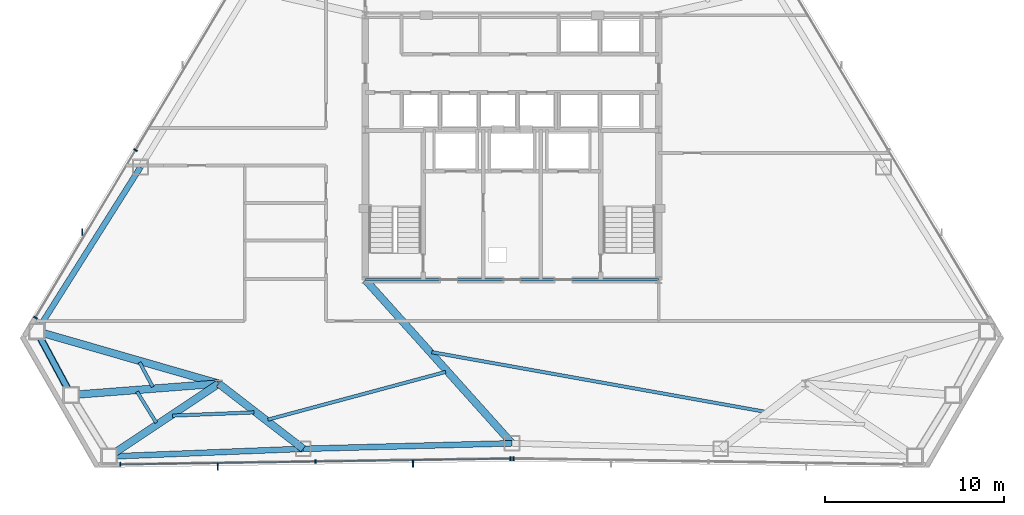
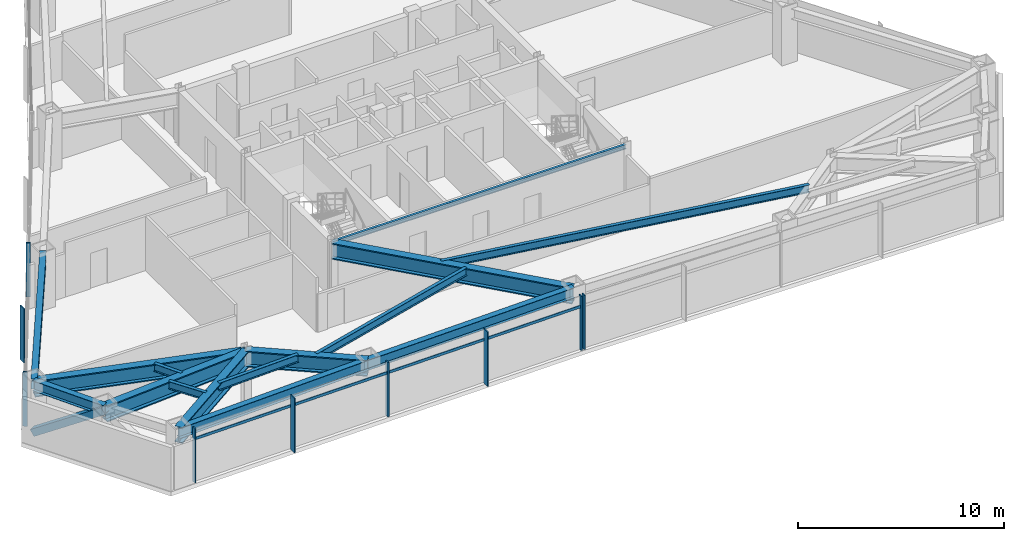
# One storey, part 4 of 11: 15 beams, 11 members, 3 elements without a shape of their own.
"""IFC4 building model written with IfcOpenShell, lengths in metres."""

from ifc_helpers import new_model, si_unit, direction, frame, origin, origin_2d, place, context, subcontext, project, spatial, rectangle, hollow_rectangle, i_section, extrude, source, transform, mapped, material, layer, layer_set, material_profile, profile_set, type_object, type_shapes, element, aggregate, save


model = new_model("IFC4")

# Units and contexts
model_context = context("Model", 3, precision=1e-05, world=origin(), true_north=direction((0.0, 1.0)))
body_context = subcontext(model_context, "Body", "Model", "MODEL_VIEW")
ifc_project = project(units=[si_unit("LENGTHUNIT", "METRE"), si_unit("AREAUNIT", "SQUARE_METRE"), si_unit("VOLUMEUNIT", "CUBIC_METRE"), si_unit("PLANEANGLEUNIT", "RADIAN"), si_unit("MASSUNIT", "GRAM", prefix="KILO")], contexts=[model_context])

# Site, building, storey
site_placement = place(None, origin())
site = spatial("IfcSite", under=ifc_project, at=site_placement, CompositionType="ELEMENT")
building_placement = place(site_placement, origin())
building = spatial("IfcBuilding", under=site, at=building_placement, Name="Varakhsha Concourse Tower", CompositionType="ELEMENT")
storey_placement = place(building_placement, frame((0.0, 0.0, 140.14990234375)))
storey = spatial("IfcBuildingStorey", under=building, at=storey_placement, Name="L40", CompositionType="ELEMENT", Elevation=140.14990234375)

# Beams
ifc_material_1 = material(Name="Structural Steel ASTM A992 Grade 50", Category="steel")
ifc_material_profile_1 = material_profile(ifc_material_1, i_section(OverallWidth=0.19091796875, OverallDepth=0.45703125, WebThickness=0.009033203125, FlangeThickness=0.013916015625, at=origin_2d()), Name="W18X50")
ifc_profile_set_1 = profile_set([ifc_material_profile_1], Name="Structural Steel ASTM A992 Grade 50")
beam_type_1 = type_object("IfcBeamType", Name="BM-JST-W18X50", PredefinedType="JOIST", material=ifc_profile_set_1)
beam_1_placement = place(storey_placement, frame((19.176513671875, 11.791015625, 2.981689453125), z_axis=(0.473689034339, -0.880692170254, 0.0), x_axis=(0.880692170254, 0.473689034339, 0.0)))
element("IfcBeam", 1, at=beam_1_placement, inside=storey, type_object=beam_type_1, Name="BM-TJST-L40-07", PredefinedType="JOIST", context=body_context, shape_type="SweptSolid", body=[
    extrude(i_section(OverallWidth=0.19091796875, OverallDepth=0.45703125, WebThickness=0.009033203125, FlangeThickness=0.013916015625, at=origin_2d()), origin(), (0.0, 0.0, 1.0), 1.5595703125),
])
beam_2_placement = place(storey_placement, frame((19.03466796875, 10.15087890625, 2.981689453125), z_axis=(0.525861356759, -0.850570298957, 0.0), x_axis=(0.850570298957, 0.525861356759, 0.0)))
element("IfcBeam", 2, at=beam_2_placement, inside=storey, type_object=beam_type_1, Name="BM-TJST-L40-08", PredefinedType="JOIST", context=body_context, shape_type="SweptSolid", body=[
    extrude(i_section(OverallWidth=0.19091796875, OverallDepth=0.45703125, WebThickness=0.009033203125, FlangeThickness=0.013916015625, at=origin_2d()), origin(), (0.0, 0.0, 1.0), 2.045166015625),
])
beam_3_placement = place(storey_placement, frame((21.01318359375, 8.811279296875, 2.981689453125), z_axis=(0.999212380669, 0.03968146064, 0.0), x_axis=(-0.03968146064, 0.999212380669, 0.0)))
element("IfcBeam", 3, at=beam_3_placement, inside=storey, type_object=beam_type_1, Name="BM-TJST-L40-09", PredefinedType="JOIST", context=body_context, shape_type="SweptSolid", body=[
    extrude(i_section(OverallWidth=0.19091796875, OverallDepth=0.45703125, WebThickness=0.009033203125, FlangeThickness=0.013916015625, at=origin_2d()), origin(), (0.0, 0.0, 1.0), 4.55908203125),
])
beam_4_placement = place(storey_placement, frame((26.351806640625, 8.587646484375, 2.981689453125), z_axis=(0.96579428254, 0.259309474976, 0.0), x_axis=(-0.259309474976, 0.96579428254, 0.0)))
element("IfcBeam", 4, at=beam_4_placement, inside=storey, type_object=beam_type_1, Name="BM-TJST-L40-10", PredefinedType="JOIST", context=body_context, shape_type="SweptSolid", body=[
    extrude(i_section(OverallWidth=0.19091796875, OverallDepth=0.45703125, WebThickness=0.009033203125, FlangeThickness=0.013916015625, at=origin_2d()), origin(), (0.0, 0.0, 1.0), 10.285888671875),
])
beam_5_placement = place(storey_placement, frame((35.516357421875, 12.360595703125, 2.981689453125), z_axis=(0.984372712142, -0.176097596777, 0.0), x_axis=(0.176097596777, 0.984372712142, 0.0)))
element("IfcBeam", 5, at=beam_5_placement, inside=storey, type_object=beam_type_1, Name="BM-TJST-L40-11", PredefinedType="JOIST", context=body_context, shape_type="SweptSolid", body=[
    extrude(i_section(OverallWidth=0.19091796875, OverallDepth=0.45703125, WebThickness=0.009033203125, FlangeThickness=0.013916015625, at=origin_2d()), origin(), (0.0, 0.0, 1.0), 18.99365234375),
])
ifc_material_profile_2 = material_profile(ifc_material_1, i_section(OverallWidth=0.14697265625, OverallDepth=0.261962890625, WebThickness=0.007080078125, FlangeThickness=0.010986328125, at=origin_2d()), Name="W10X26")
ifc_profile_set_2 = profile_set([ifc_material_profile_2], Name="Structural Steel ASTM A992 Grade 50")
beam_type_2 = type_object("IfcBeamType", Name="BM-LNTL-W10X26", PredefinedType="LINTEL", material=ifc_profile_set_2)
beam_6_placement = place(storey_placement, frame((31.800048828125, 16.39990234375, 3.0791015625), z_axis=(1.0, 0.0, 0.0), x_axis=(0.0, 1.0, 0.0)))
element("IfcBeam", 6, at=beam_6_placement, inside=storey, type_object=beam_type_2, Name="BM-TCORE-L40-CS", PredefinedType="LINTEL", context=body_context, shape_type="SweptSolid", body=[
    extrude(i_section(OverallWidth=0.14697265625, OverallDepth=0.261962890625, WebThickness=0.007080078125, FlangeThickness=0.010986328125, at=origin_2d()), origin(), (0.0, 0.0, 1.0), 16.39990234375),
])
ifc_material_profile_3 = material_profile(ifc_material_1, i_section(OverallWidth=0.423095703125, OverallDepth=0.947998046875, WebThickness=0.0380859375, FlangeThickness=0.06396484375, at=origin_2d()), Name="W36X302")
ifc_profile_set_3 = profile_set([ifc_material_profile_3], Name="Structural Steel ASTM A992 Grade 50")
beam_type_3 = type_object("IfcBeamType", Name="BM-OUTR-W36X302", PredefinedType="USERDEFINED", material=ifc_profile_set_3)
beam_7_placement = place(storey_placement, frame((23.60009765625, 10.60009765625, 2.736083984375), z_axis=(-0.961004351566, 0.27653324623, 0.0), x_axis=(-0.27653324623, -0.961004351566, 0.0)))
element("IfcBeam", 7, at=beam_7_placement, inside=storey, type_object=beam_type_3, Name="L40 Radial Floor Girder 07", ObjectType="GIRDER", PredefinedType="USERDEFINED", context=body_context, shape_type="SweptSolid", body=[
    extrude(i_section(OverallWidth=0.423095703125, OverallDepth=0.947998046875, WebThickness=0.0380859375, FlangeThickness=0.06396484375, at=origin_2d()), origin(), (0.0, 0.0, 1.0), 10.584716796875),
])
beam_8_placement = place(storey_placement, frame((23.60009765625, 10.60009765625, 2.736083984375), z_axis=(-0.997052750856, -0.076719045946, 0.0), x_axis=(0.076719045946, -0.997052750856, 0.0)))
element("IfcBeam", 8, at=beam_8_placement, inside=storey, type_object=beam_type_3, Name="L40 Radial Floor Girder 08", ObjectType="GIRDER", PredefinedType="USERDEFINED", context=body_context, shape_type="SweptSolid", body=[
    extrude(i_section(OverallWidth=0.423095703125, OverallDepth=0.947998046875, WebThickness=0.0380859375, FlangeThickness=0.06396484375, at=origin_2d()), origin(), (0.0, 0.0, 1.0), 8.2802734375),
])
beam_9_placement = place(storey_placement, frame((23.60009765625, 10.60009765625, 2.736083984375), z_axis=(-0.832708011905, -0.553712350332, 0.0), x_axis=(0.553712350332, -0.832708011905, 0.0)))
element("IfcBeam", 9, at=beam_9_placement, inside=storey, type_object=beam_type_3, Name="L40 Radial Floor Girder 09", ObjectType="GIRDER", PredefinedType="USERDEFINED", context=body_context, shape_type="SweptSolid", body=[
    extrude(i_section(OverallWidth=0.423095703125, OverallDepth=0.947998046875, WebThickness=0.0380859375, FlangeThickness=0.06396484375, at=origin_2d()), origin(), (0.0, 0.0, 1.0), 7.360107421875),
])
beam_10_placement = place(storey_placement, frame((23.60009765625, 10.60009765625, 2.736083984375), z_axis=(0.791765293301, -0.610825441778, 0.0), x_axis=(0.610825441778, 0.791765293301, 0.0)))
element("IfcBeam", 10, at=beam_10_placement, inside=storey, type_object=beam_type_3, Name="L40 Radial Floor Girder 10", ObjectType="GIRDER", PredefinedType="USERDEFINED", context=body_context, shape_type="SweptSolid", body=[
    extrude(i_section(OverallWidth=0.423095703125, OverallDepth=0.947998046875, WebThickness=0.0380859375, FlangeThickness=0.06396484375, at=origin_2d()), origin(), (0.0, 0.0, 1.0), 5.966552734375),
])
beam_11_placement = place(storey_placement, frame((31.800048828125, 16.39990234375, 2.736083984375), z_axis=(0.667934596159, -0.744219977731, 0.0), x_axis=(0.744219977731, 0.667934596159, 0.0)))
element("IfcBeam", 11, at=beam_11_placement, inside=storey, type_object=beam_type_3, Name="L40 Radial Floor Girder 11", ObjectType="GIRDER", PredefinedType="USERDEFINED", context=body_context, shape_type="SweptSolid", body=[
    extrude(i_section(OverallWidth=0.423095703125, OverallDepth=0.947998046875, WebThickness=0.0380859375, FlangeThickness=0.06396484375, at=origin_2d()), origin(), (0.0, 0.0, 1.0), 12.276611328125),
])
ifc_material_profile_4 = material_profile(ifc_material_1, i_section(OverallWidth=0.323974609375, OverallDepth=0.611083984375, WebThickness=0.012939453125, FlangeThickness=0.01904296875, at=origin_2d()), Name="W24X104")
ifc_profile_set_4 = profile_set([ifc_material_profile_4], Name="Structural Steel ASTM A992 Grade 50")
beam_type_4 = type_object("IfcBeamType", Name="BM-SPAN-W24X104", PredefinedType="SPANDREL", material=ifc_profile_set_4)
beam_12_placement = place(storey_placement, frame((19.22802734375, 22.710693359375, 2.904541015625), z_axis=(-0.533969312185, -0.845503857853, 0.0), x_axis=(0.845503857853, -0.533969312185, 0.0)))
element("IfcBeam", 12, at=beam_12_placement, inside=storey, type_object=beam_type_4, Name="BM-SPAN-L40-06", PredefinedType="SPANDREL", context=body_context, shape_type="SweptSolid", body=[
    extrude(i_section(OverallWidth=0.323974609375, OverallDepth=0.611083984375, WebThickness=0.012939453125, FlangeThickness=0.01904296875, at=origin_2d()), origin(), (0.0, 0.0, 1.0), 10.861572265625),
])
beam_13_placement = place(storey_placement, frame((13.42822265625, 13.527099609375, 2.904541015625), z_axis=(0.473693045158, -0.880690012984, 0.0), x_axis=(0.880690012984, 0.473693045158, 0.0)))
element("IfcBeam", 13, at=beam_13_placement, inside=storey, type_object=beam_type_4, Name="BM-SPAN-L40-07", PredefinedType="SPANDREL", context=body_context, shape_type="SweptSolid", body=[
    extrude(i_section(OverallWidth=0.323974609375, OverallDepth=0.611083984375, WebThickness=0.012939453125, FlangeThickness=0.01904296875, at=origin_2d()), origin(), (0.0, 0.0, 1.0), 4.044921875),
])
beam_14_placement = place(storey_placement, frame((17.47119140625, 6.524658203125, 2.904541015625), z_axis=(0.999212728307, 0.039672705841, 0.0), x_axis=(-0.039672705841, 0.999212728307, 0.0)))
element("IfcBeam", 14, at=beam_14_placement, inside=storey, type_object=beam_type_4, Name="BM-SPAN-L40-09", PredefinedType="SPANDREL", context=body_context, shape_type="SweptSolid", body=[
    extrude(i_section(OverallWidth=0.323974609375, OverallDepth=0.611083984375, WebThickness=0.012939453125, FlangeThickness=0.01904296875, at=origin_2d()), origin(), (0.0, 0.0, 1.0), 10.861572265625),
])
beam_15_placement = place(storey_placement, frame((28.32421875, 6.95556640625, 2.904541015625), z_axis=(0.999652558255, 0.026358353044, 0.0), x_axis=(-0.026358353044, 0.999652558255, 0.0)))
element("IfcBeam", 15, at=beam_15_placement, inside=storey, type_object=beam_type_4, Name="BM-SPAN-L40-10", PredefinedType="SPANDREL", context=body_context, shape_type="SweptSolid", body=[
    extrude(i_section(OverallWidth=0.323974609375, OverallDepth=0.611083984375, WebThickness=0.012939453125, FlangeThickness=0.01904296875, at=origin_2d()), origin(), (0.0, 0.0, 1.0), 11.679931640625),
])

# Member
ifc_material_2 = material(Name="Structural Steel ASTM A500 Grade C", Category="steel")
ifc_material_profile_5 = material_profile(ifc_material_2, hollow_rectangle(XDim=0.39990234375, YDim=0.39990234375, WallThickness=0.01611328125, at=origin_2d()), Name="HSS 400x400x16")
ifc_profile_set_5 = profile_set([ifc_material_profile_5], Name="Structural Steel ASTM A500 Grade C")
member_type_1 = type_object("IfcMemberType", Name="MB-TUBE-HSS400", PredefinedType="BRACE", material=ifc_profile_set_5)
shared_shape_1 = source(origin(), body_context, "Body", "SweptSolid", [
    extrude(hollow_rectangle(XDim=0.39990234375, YDim=0.39990234375, WallThickness=0.01611328125, at=origin_2d()), origin(), (0.0, 0.0, 1.0), 4.913818359375),
])
type_shapes(member_type_1, [shared_shape_1])
member_1_placement = place(storey_placement, frame((13.42822265625, 13.527099609375, 0.1201171875), z_axis=(0.389928102475, -0.724954248626, 0.567800503961), x_axis=(0.880690012984, 0.473693045158, 0.0)))
element("IfcMember", 16, at=member_1_placement, inside=storey, type_object=member_type_1, Name="L40 Wind-Corner Tube Brace B03", PredefinedType="BRACE", context=body_context, shape_type="MappedRepresentation", body=[
    mapped(shared_shape_1, transform((0.0, 0.0, 0.0), scale=1.0)),
])

# Curtain wall, members
ifc_material_3 = material(Name="Anodised Bronze Architectural Aluminium AA 6063-T6", Category="aluminium")
ifc_layer = layer(ifc_material_3, 0.2099609375, Name="CW-SYS-04")
ifc_layer_set = layer_set([ifc_layer], Name="Anodised Bronze Architectural Aluminium AA 6063-T6")
curtain_wall_type = type_object("IfcCurtainWallType", Name="CW-SYS-04", PredefinedType="NOTDEFINED", material=ifc_layer_set)
curtain_wall_1_placement = place(storey_placement, origin())
curtain_wall_1 = element("IfcCurtainWall", 17, at=curtain_wall_1_placement, inside=storey, type_object=curtain_wall_type, Name="L40 Crystal Curtain Wall F3", PredefinedType="NOTDEFINED")
ifc_material_profile_6 = material_profile(ifc_material_3, rectangle(XDim=0.074951171875, YDim=0.219970703125, at=origin_2d()), Name="CWM-220X75")
ifc_profile_set_6 = profile_set([ifc_material_profile_6], Name="Anodised Bronze Architectural Aluminium AA 6063-T6")
member_type_2 = type_object("IfcMemberType", Name="CWM-220X75", PredefinedType="MULLION", material=ifc_profile_set_6)
shared_shape_2 = source(origin(), body_context, "Body", "SweptSolid", [
    extrude(rectangle(XDim=0.074951171875, YDim=0.219970703125, at=origin_2d()), origin(), (0.0, 0.0, 1.0), 3.210205078125),
])
type_shapes(member_type_2, [shared_shape_2])
member_2_placement = place(storey_placement, frame((13.35498046875, 14.28662109375, 0.0), z_axis=(0.0, 0.0, 1.0), x_axis=(0.512984034508, 0.858398147913, 0.0)))
member_2 = element("IfcMember", 18, at=member_2_placement, type_object=member_type_2, Name="CW-L40-F3 Mullion 00", PredefinedType="MULLION", context=body_context, shape_type="MappedRepresentation", body=[
    mapped(shared_shape_2, transform((0.0, 0.0, 0.0), scale=1.0)),
])
member_3_placement = place(storey_placement, frame((18.95361328125, 23.6552734375, 0.0), z_axis=(0.0, 0.0, 1.0), x_axis=(0.512984034508, 0.858398147913, 0.0)))
member_3 = element("IfcMember", 19, at=member_3_placement, type_object=member_type_2, Name="CW-L40-F3 Mullion 01", PredefinedType="MULLION", context=body_context, shape_type="MappedRepresentation", body=[
    mapped(shared_shape_2, transform((0.0, 0.0, 0.0), scale=1.0)),
])

curtain_wall_2_placement = place(storey_placement, origin())
curtain_wall_2 = element("IfcCurtainWall", 20, at=curtain_wall_2_placement, inside=storey, type_object=curtain_wall_type, Name="L40 Crystal Curtain Wall F5", PredefinedType="NOTDEFINED")
member_4_placement = place(storey_placement, frame((39.91748046875, 6.41015625, 0.0), z_axis=(0.0, 0.0, 1.0), x_axis=(-0.99988654105, -0.015063367057, 0.0)))
member_4 = element("IfcMember", 21, at=member_4_placement, type_object=member_type_2, Name="CW-L40-F5 Mullion 00", PredefinedType="MULLION", context=body_context, shape_type="MappedRepresentation", body=[
    mapped(shared_shape_2, transform((0.0, 0.0, 0.0), scale=1.0)),
])
member_5_placement = place(storey_placement, frame((29.0048828125, 6.245849609375, 0.0), z_axis=(0.0, 0.0, 1.0), x_axis=(-0.99988654105, -0.015063367057, 0.0)))
member_5 = element("IfcMember", 22, at=member_5_placement, type_object=member_type_2, Name="CW-L40-F5 Mullion 01", PredefinedType="MULLION", context=body_context, shape_type="MappedRepresentation", body=[
    mapped(shared_shape_2, transform((0.0, 0.0, 0.0), scale=1.0)),
])
member_6_placement = place(storey_placement, frame((18.09228515625, 6.081298828125, 0.0), z_axis=(0.0, 0.0, 1.0), x_axis=(-0.99988654105, -0.015063367057, 0.0)))
member_6 = element("IfcMember", 23, at=member_6_placement, type_object=member_type_2, Name="CW-L40-F5 Mullion 02", PredefinedType="MULLION", context=body_context, shape_type="MappedRepresentation", body=[
    mapped(shared_shape_2, transform((0.0, 0.0, 0.0), scale=1.0)),
])

# Curtain wall, member
curtain_wall_3_placement = place(storey_placement, origin())
curtain_wall_3 = element("IfcCurtainWall", 24, at=curtain_wall_3_placement, inside=storey, type_object=curtain_wall_type, Name="L40 Crystal Curtain Wall F6", PredefinedType="NOTDEFINED")
member_7_placement = place(storey_placement, frame((40.08251953125, 6.41015625, 0.0), z_axis=(0.0, 0.0, 1.0), x_axis=(-0.99988654105, 0.015063367057, 0.0)))
member_7 = element("IfcMember", 25, at=member_7_placement, type_object=member_type_2, Name="CW-L40-F6 Mullion 02", PredefinedType="MULLION", context=body_context, shape_type="MappedRepresentation", body=[
    mapped(shared_shape_2, transform((0.0, 0.0, 0.0), scale=1.0)),
])
aggregate(curtain_wall_3, [member_7])

# Member
ifc_material_profile_7 = material_profile(ifc_material_3, rectangle(XDim=0.06005859375, YDim=0.3798828125, at=origin_2d()), Name="FIN-BRZ-380")
ifc_profile_set_7 = profile_set([ifc_material_profile_7], Name="Anodised Bronze Architectural Aluminium AA 6063-T6")
member_type_3 = type_object("IfcMemberType", Name="FIN-BRZ-380", PredefinedType="USERDEFINED", material=ifc_profile_set_7)
shared_shape_3 = source(origin(), body_context, "Body", "SweptSolid", [
    extrude(rectangle(XDim=0.06005859375, YDim=0.3798828125, at=origin_2d()), origin(), (0.0, 0.0, 1.0), 3.210205078125),
])
type_shapes(member_type_3, [shared_shape_3])
member_8_placement = place(storey_placement, frame((15.978515625, 19.076171875, 0.0), z_axis=(0.0, 0.0, 1.0), x_axis=(1.0, 0.0, 0.0)))
member_8 = element("IfcMember", 26, at=member_8_placement, type_object=member_type_3, Name="L40 Anodised Bronze Solar Fin F3-1", ObjectType="SOLAR FIN", PredefinedType="USERDEFINED", context=body_context, shape_type="MappedRepresentation", body=[
    mapped(shared_shape_3, transform((0.0, 0.0, 0.0), scale=1.0)),
])

aggregate(curtain_wall_1, [member_2, member_3, member_8])

member_9_placement = place(storey_placement, frame((34.46435546875, 6.123046875, 0.0), z_axis=(0.0, 0.0, 1.0), x_axis=(1.0, 0.0, 0.0)))
member_9 = element("IfcMember", 27, at=member_9_placement, type_object=member_type_3, Name="L40 Anodised Bronze Solar Fin F5-1", ObjectType="SOLAR FIN", PredefinedType="USERDEFINED", context=body_context, shape_type="MappedRepresentation", body=[
    mapped(shared_shape_3, transform((0.0, 0.0, 0.0), scale=1.0)),
])

member_10_placement = place(storey_placement, frame((23.5517578125, 5.95849609375, 0.0), z_axis=(0.0, 0.0, 1.0), x_axis=(1.0, 0.0, 0.0)))
member_10 = element("IfcMember", 28, at=member_10_placement, type_object=member_type_3, Name="L40 Anodised Bronze Solar Fin F5-2", ObjectType="SOLAR FIN", PredefinedType="USERDEFINED", context=body_context, shape_type="MappedRepresentation", body=[
    mapped(shared_shape_3, transform((0.0, 0.0, 0.0), scale=1.0)),
])

ifc_material_profile_8 = material_profile(ifc_material_3, rectangle(XDim=0.06494140625, YDim=0.159912109375, at=origin_2d()), Name="CWT-160X65")
ifc_profile_set_8 = profile_set([ifc_material_profile_8], Name="Anodised Bronze Architectural Aluminium AA 6063-T6")
member_type_4 = type_object("IfcMemberType", Name="CWT-160X65", PredefinedType="USERDEFINED", material=ifc_profile_set_8)
shared_shape_4 = source(origin(), body_context, "Body", "SweptSolid", [
    extrude(rectangle(XDim=0.06494140625, YDim=0.159912109375, at=origin_2d()), origin(), (0.0, 0.0, 1.0), 21.82763671875),
])
type_shapes(member_type_4, [shared_shape_4])
member_11_placement = place(storey_placement, frame((39.91748046875, 6.41015625, 2.56005859375), z_axis=(-0.999886500205, -0.015066078077, 0.0), x_axis=(0.015066078077, -0.999886500205, 0.0)))
member_11 = element("IfcMember", 29, at=member_11_placement, type_object=member_type_4, Name="CW-L40-F5 Transom 01", ObjectType="TRANSOM", PredefinedType="USERDEFINED", context=body_context, shape_type="MappedRepresentation", body=[
    mapped(shared_shape_4, transform((0.0, 0.0, 0.0), scale=1.0)),
])

aggregate(curtain_wall_2, [member_4, member_5, member_6, member_11, member_9, member_10])

save(model, "model.ifc")
